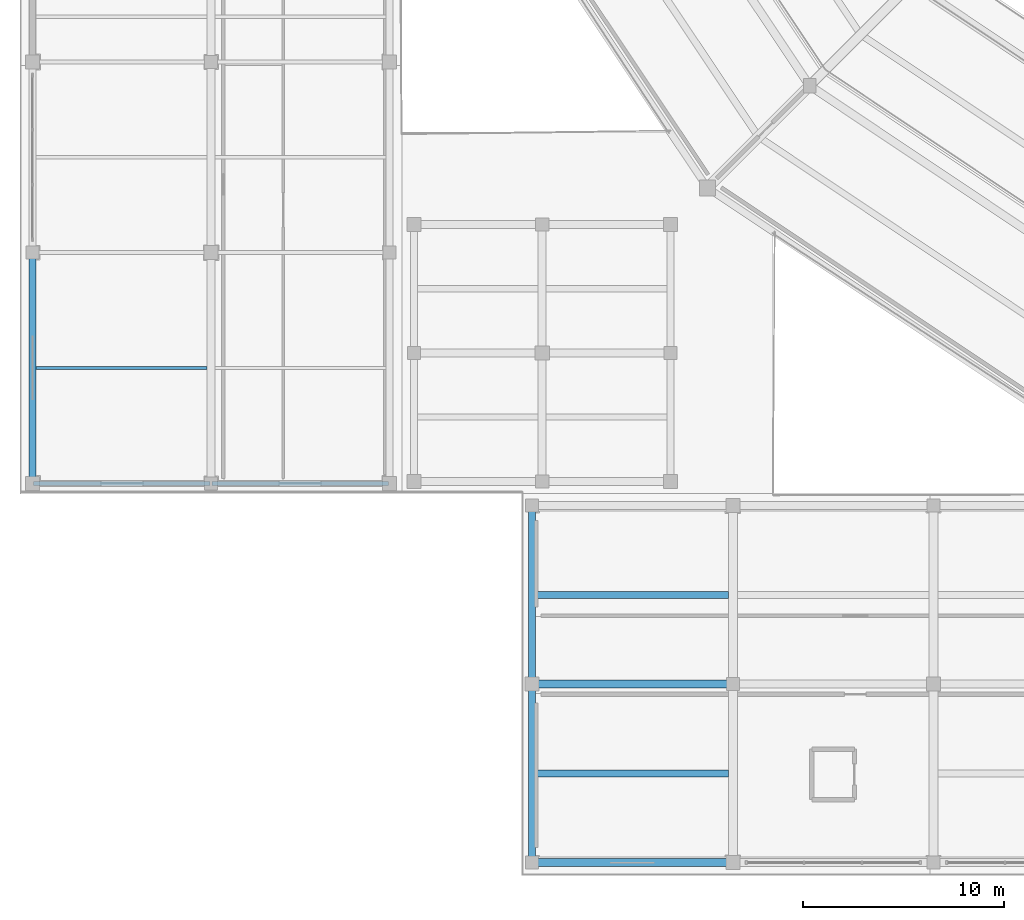
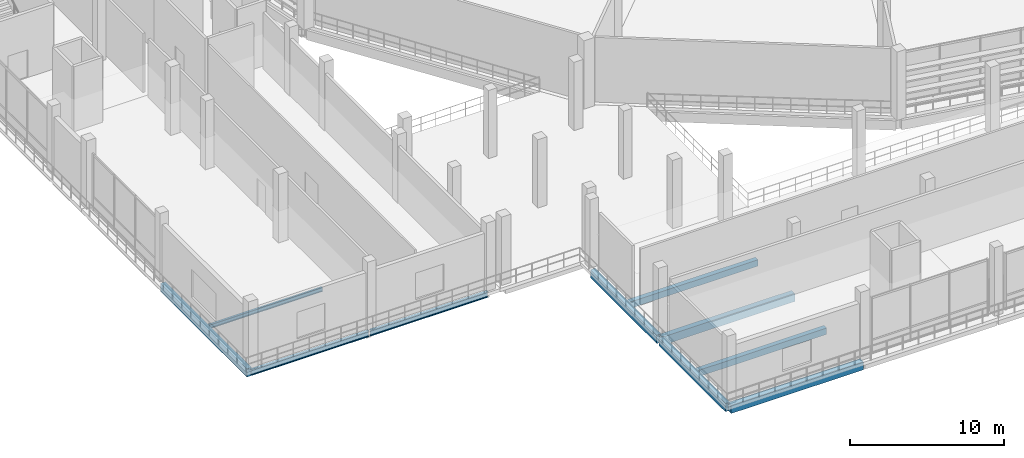
# One storey, part 11 of 127: 10 beams.
"""IFC4 building model written with IfcOpenShell, lengths in metres."""

from ifc_helpers import new_model, si_unit, direction, frame, origin, origin_2d, place, context, subcontext, project, spatial, rectangle, i_section, extrude, material, material_profile, profile_set, type_object, element, save


model = new_model("IFC4")

# Units and contexts
model_context = context("Model", 3, precision=1e-05, world=origin(), true_north=direction((0.0, 1.0)))
body_context = subcontext(model_context, "Body", "Model", "MODEL_VIEW")
ifc_project = project(units=[si_unit("LENGTHUNIT", "METRE"), si_unit("AREAUNIT", "SQUARE_METRE"), si_unit("VOLUMEUNIT", "CUBIC_METRE"), si_unit("PLANEANGLEUNIT", "RADIAN"), si_unit("MASSUNIT", "GRAM", prefix="KILO")], contexts=[model_context])

# Site, building, storey
site_placement = place(None, origin())
site = spatial("IfcSite", under=ifc_project, at=site_placement, CompositionType="ELEMENT")
building_placement = place(site_placement, origin())
building = spatial("IfcBuilding", under=site, at=building_placement, Name="Candeia Ridge Stadium", CompositionType="ELEMENT")
storey_placement = place(building_placement, frame((0.0, 0.0, 10.800048828125)))
storey = spatial("IfcBuildingStorey", under=building, at=storey_placement, Name="L02", CompositionType="ELEMENT", Elevation=10.800048828125)

# Beams
ifc_material_1 = material(Name="Concrete C40/50", Category="concrete")
ifc_material_profile_1 = material_profile(ifc_material_1, rectangle(XDim=0.35009765625, YDim=0.5, at=origin_2d()), Name="RC350x500", Category="concrete")
ifc_profile_set_1 = profile_set([ifc_material_profile_1], Name="Concrete C40/50")
beam_type_1 = type_object("IfcBeamType", Name="Floor Joist RC350x500", PredefinedType="JOIST", material=ifc_profile_set_1)
for number, where, z_axis, x_axis, name in (
    (1, (25.674560546875, 5.050048828125, -0.510009765625), (1.0, 0.0, 0.0), (0.0, 1.0, 0.0), "Wing secondary joist BM-L02-2122"),
    (2, (25.674560546875, 13.949951171875, -0.510009765625), (1.0, 0.0, 0.0), (0.0, 1.0, 0.0), "Wing secondary joist BM-L02-2124"),
):
    element("IfcBeam", number, at=place(storey_placement, frame(where, z_axis=z_axis, x_axis=x_axis)), inside=storey, type_object=beam_type_1, Name=name, PredefinedType="JOIST", context=body_context, shape_type="SweptSolid", body=[
        extrude(rectangle(XDim=0.35009765625, YDim=0.5, at=origin_2d()), origin(), (0.0, 0.0, 1.0), 9.600830078125),
    ])
ifc_material_2 = material(Name="Steel ASTM A572 Grade 50", Category="steel")
ifc_material_profile_2 = material_profile(ifc_material_2, i_section(OverallWidth=0.1669921875, OverallDepth=0.31689453125, WebThickness=0.007568359375, FlangeThickness=0.01318359375, FilletRadius=0.011962890625, at=origin_2d()), Name="W310x52", Category="steel")
ifc_profile_set_2 = profile_set([ifc_material_profile_2], Name="Steel ASTM A572 Grade 50")
beam_type_2 = type_object("IfcBeamType", Name="Pavilion Secondary Joist W310x52", PredefinedType="JOIST", material=ifc_profile_set_2)
beam_1_placement = place(storey_placement, frame((0.7744140625, 25.25, -0.41845703125), z_axis=(1.0, 0.0, 0.0), x_axis=(0.0, 1.0, 0.0)))
element("IfcBeam", 3, at=beam_1_placement, inside=storey, type_object=beam_type_2, Name="Wing secondary joist BM-L02-1152", PredefinedType="JOIST", context=body_context, shape_type="SweptSolid", body=[
    extrude(i_section(OverallWidth=0.1669921875, OverallDepth=0.31689453125, WebThickness=0.007568359375, FlangeThickness=0.01318359375, FilletRadius=0.011962890625, at=origin_2d()), origin(), (0.0, 0.0, 1.0), 8.526123046875),
])
ifc_material_profile_3 = material_profile(ifc_material_2, i_section(OverallWidth=0.18994140625, OverallDepth=0.45703125, WebThickness=0.009033203125, FlangeThickness=0.014404296875, FilletRadius=0.012939453125, at=origin_2d()), Name="W460x74", Category="steel")
ifc_profile_set_3 = profile_set([ifc_material_profile_3], Name="Steel ASTM A572 Grade 50")
beam_type_3 = type_object("IfcBeamType", Name="Pavilion Steel Girder W460x74", PredefinedType="BEAM", material=ifc_profile_set_3)
for number, where, z_axis, x_axis, name in (
    (4, (0.64990234375, 19.5, -0.488525390625), (1.0, 0.0, 0.0), (0.0, 1.0, 0.0), "Structural girder BM-L02-1151"),
    (5, (9.550048828125, 19.5, -0.488525390625), (1.0, 0.0, 0.0), (0.0, 1.0, 0.0), "Structural girder BM-L02-1169"),
):
    element("IfcBeam", number, at=place(storey_placement, frame(where, z_axis=z_axis, x_axis=x_axis)), inside=storey, type_object=beam_type_3, Name=name, PredefinedType="BEAM", context=body_context, shape_type="SweptSolid", body=[
        extrude(i_section(OverallWidth=0.18994140625, OverallDepth=0.45703125, WebThickness=0.009033203125, FlangeThickness=0.014404296875, FilletRadius=0.012939453125, at=origin_2d()), origin(), (0.0, 0.0, 1.0), 8.800048828125),
    ])
ifc_material_profile_4 = material_profile(ifc_material_1, rectangle(XDim=0.35009765625, YDim=0.64990234375, at=origin_2d()), Name="RC350x650", Category="concrete")
ifc_profile_set_4 = profile_set([ifc_material_profile_4], Name="Concrete C40/50")
beam_type_4 = type_object("IfcBeamType", Name="Spandrel Beam RC350x650", PredefinedType="SPANDREL", material=ifc_profile_set_4)
beam_2_placement = place(storey_placement, frame((0.60009765625, 19.659912109375, -0.5849609375), z_axis=(0.0, 1.0, 0.0), x_axis=(-1.0, 0.0, 0.0)))
element("IfcBeam", 6, at=beam_2_placement, inside=storey, type_object=beam_type_4, Name="Structural girder BM-L02-1113", PredefinedType="SPANDREL", context=body_context, shape_type="SweptSolid", body=[
    extrude(rectangle(XDim=0.35009765625, YDim=0.64990234375, at=origin_2d()), origin(), (0.0, 0.0, 1.0), 11.18017578125),
])
for number, where, z_axis, x_axis, name in (
    (7, (25.5, 0.760009765625, -0.5849609375), (0.0, 1.0, 0.0), (-1.0, 0.0, 0.0), "Structural girder BM-L02-2108"),
    (8, (25.5, 9.659912109375, -0.5849609375), (0.0, 1.0, 0.0), (-1.0, 0.0, 0.0), "Structural girder BM-L02-2109"),
):
    element("IfcBeam", number, at=place(storey_placement, frame(where, z_axis=z_axis, x_axis=x_axis)), inside=storey, type_object=beam_type_4, Name=name, PredefinedType="SPANDREL", context=body_context, shape_type="SweptSolid", body=[
        extrude(rectangle(XDim=0.35009765625, YDim=0.64990234375, at=origin_2d()), origin(), (0.0, 0.0, 1.0), 8.580078125),
    ])
ifc_material_profile_5 = material_profile(ifc_material_1, rectangle(XDim=0.39990234375, YDim=0.64990234375, at=origin_2d()), Name="RC400x650", Category="concrete")
ifc_profile_set_5 = profile_set([ifc_material_profile_5], Name="Concrete C40/50")
beam_type_5 = type_object("IfcBeamType", Name="Wing Primary Girder RC400x650", PredefinedType="BEAM", material=ifc_profile_set_5)
for number, where, z_axis, x_axis, name in (
    (9, (25.550048828125, 0.60009765625, -0.5849609375), (1.0, 0.0, 0.0), (0.0, 1.0, 0.0), "Structural girder BM-L02-2121"),
    (10, (25.550048828125, 9.5, -0.5849609375), (1.0, 0.0, 0.0), (0.0, 1.0, 0.0), "Structural girder BM-L02-2123"),
):
    element("IfcBeam", number, at=place(storey_placement, frame(where, z_axis=z_axis, x_axis=x_axis)), inside=storey, type_object=beam_type_5, Name=name, PredefinedType="BEAM", context=body_context, shape_type="SweptSolid", body=[
        extrude(rectangle(XDim=0.39990234375, YDim=0.64990234375, at=origin_2d()), origin(), (0.0, 0.0, 1.0), 9.89990234375),
    ])

save(model, "model.ifc")
